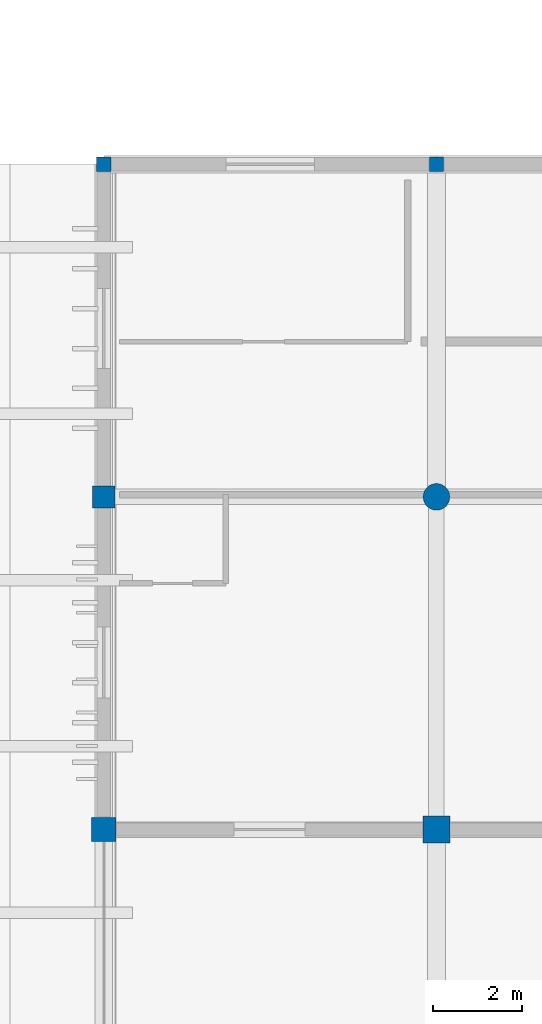
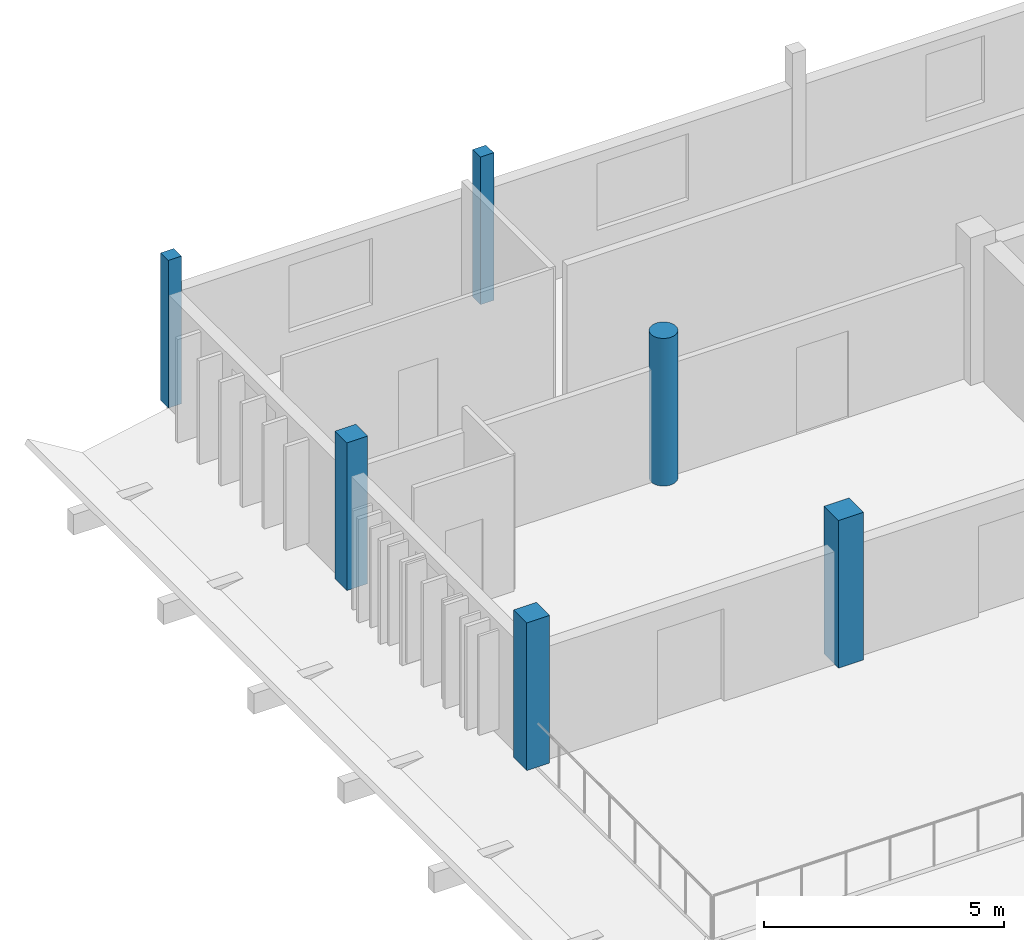
# One storey, part 3 of 43: 6 columns.
"""IFC4 building model written with IfcOpenShell, lengths in metres."""

from ifc_helpers import new_model, si_unit, direction, frame, origin, origin_2d, place, context, subcontext, project, spatial, rectangle, circle, extrude, material, material_profile, profile_set, type_object, element, save


model = new_model("IFC4")

# Units and contexts
model_context = context("Model", 3, precision=1e-05, world=origin(), true_north=direction((0.0, 1.0)))
body_context = subcontext(model_context, "Body", "Model", "MODEL_VIEW")
ifc_project = project(units=[si_unit("LENGTHUNIT", "METRE"), si_unit("AREAUNIT", "SQUARE_METRE"), si_unit("VOLUMEUNIT", "CUBIC_METRE"), si_unit("PLANEANGLEUNIT", "RADIAN"), si_unit("MASSUNIT", "GRAM", prefix="KILO")], contexts=[model_context])

# Site, building, storey
site_placement = place(None, origin())
site = spatial("IfcSite", under=ifc_project, at=site_placement, CompositionType="ELEMENT")
building_placement = place(site_placement, origin())
building = spatial("IfcBuilding", under=site, at=building_placement, Name="Dalvernix Boulevard General Hospital", CompositionType="ELEMENT")
storey_placement = place(building_placement, frame((0.0, 0.0, 14.10009765625)))
storey = spatial("IfcBuildingStorey", under=building, at=storey_placement, Name="L03", CompositionType="ELEMENT", Elevation=14.10009765625)

# Columns
ifc_material_1 = material(Name="Concrete C40/50", Category="concrete")
ifc_material_profile_1 = material_profile(ifc_material_1, rectangle(XDim=0.60009765625, YDim=0.60009765625, at=origin_2d()), Name="RC 600x600")
ifc_profile_set_1 = profile_set([ifc_material_profile_1], Name="Concrete C40/50")
column_type_1 = type_object("IfcColumnType", Name="COL-C-07-E", PredefinedType="COLUMN", material=ifc_profile_set_1)
column_1_placement = place(storey_placement, frame((120.0, 7.5, 0.0), z_axis=(0.0, 0.0, 1.0), x_axis=(1.0, 0.0, 0.0)))
element("IfcColumn", 1, at=column_1_placement, inside=storey, type_object=column_type_1, Name="L03 column 17B", PredefinedType="COLUMN", context=body_context, shape_type="SweptSolid", body=[
    extrude(rectangle(XDim=0.60009765625, YDim=0.60009765625, at=origin_2d()), origin(), (0.0, 0.0, 1.0), 3.75),
])
ifc_material_profile_2 = material_profile(ifc_material_1, rectangle(XDim=0.550048828125, YDim=0.550048828125, at=origin_2d()), Name="RC 550x550")
ifc_profile_set_2 = profile_set([ifc_material_profile_2], Name="Concrete C40/50")
column_type_2 = type_object("IfcColumnType", Name="COL-C-08-E", PredefinedType="COLUMN", material=ifc_profile_set_2)
column_2_placement = place(storey_placement, frame((112.5, 7.5, 0.0), z_axis=(0.0, 0.0, 1.0), x_axis=(1.0, 0.0, 0.0)))
element("IfcColumn", 2, at=column_2_placement, inside=storey, type_object=column_type_2, Name="L03 column 16B", PredefinedType="COLUMN", context=body_context, shape_type="SweptSolid", body=[
    extrude(rectangle(XDim=0.550048828125, YDim=0.550048828125, at=origin_2d()), origin(), (0.0, 0.0, 1.0), 3.75),
])
ifc_material_profile_3 = material_profile(ifc_material_1, rectangle(XDim=0.5, YDim=0.5, at=origin_2d()), Name="RC 500x500")
ifc_profile_set_3 = profile_set([ifc_material_profile_3], Name="Concrete C40/50")
column_type_3 = type_object("IfcColumnType", Name="COL-C-09-E", PredefinedType="COLUMN", material=ifc_profile_set_3)
column_3_placement = place(storey_placement, frame((112.5, 15.0, 0.0), z_axis=(0.0, 0.0, 1.0), x_axis=(1.0, 0.0, 0.0)))
element("IfcColumn", 3, at=column_3_placement, inside=storey, type_object=column_type_3, Name="L03 column 16C", PredefinedType="COLUMN", context=body_context, shape_type="SweptSolid", body=[
    extrude(rectangle(XDim=0.5, YDim=0.5, at=origin_2d()), origin(), (0.0, 0.0, 1.0), 3.75),
])
ifc_material_profile_4 = material_profile(ifc_material_1, circle(Radius=0.300048828125, at=origin_2d()), Name="RC D600")
ifc_profile_set_4 = profile_set([ifc_material_profile_4], Name="Concrete C40/50")
column_type_4 = type_object("IfcColumnType", Name="COL-C-15-I", PredefinedType="COLUMN", material=ifc_profile_set_4)
column_4_placement = place(storey_placement, frame((120.0, 15.0, 0.0), z_axis=(0.0, 0.0, 1.0), x_axis=(1.0, 0.0, 0.0)))
element("IfcColumn", 4, at=column_4_placement, inside=storey, type_object=column_type_4, Name="L03 column 17C", PredefinedType="COLUMN", context=body_context, shape_type="SweptSolid", body=[
    extrude(circle(Radius=0.300048828125, at=origin_2d()), origin(), (0.0, 0.0, 1.0), 3.75),
])
ifc_material_2 = material(Name="Glulam GL28h", Category="wood")
ifc_material_profile_5 = material_profile(ifc_material_2, rectangle(XDim=0.320068359375, YDim=0.320068359375, at=origin_2d()), Name="GL28h 320x320")
ifc_profile_set_5 = profile_set([ifc_material_profile_5], Name="Glulam GL28h")
column_type_5 = type_object("IfcColumnType", Name="COL-C-20-E", PredefinedType="COLUMN", material=ifc_profile_set_5)
for number, where, z_axis, x_axis, name in (
    (5, (112.5, 22.5, 0.0), (0.0, 0.0, 1.0), (1.0, 0.0, 0.0), "L03 column 16D"),
    (6, (120.0, 22.5, 0.0), (0.0, 0.0, 1.0), (1.0, 0.0, 0.0), "L03 column 17D"),
):
    element("IfcColumn", number, at=place(storey_placement, frame(where, z_axis=z_axis, x_axis=x_axis)), inside=storey, type_object=column_type_5, Name=name, PredefinedType="COLUMN", context=body_context, shape_type="SweptSolid", body=[
        extrude(rectangle(XDim=0.320068359375, YDim=0.320068359375, at=origin_2d()), origin(), (0.0, 0.0, 1.0), 3.75),
    ])

save(model, "model.ifc")
